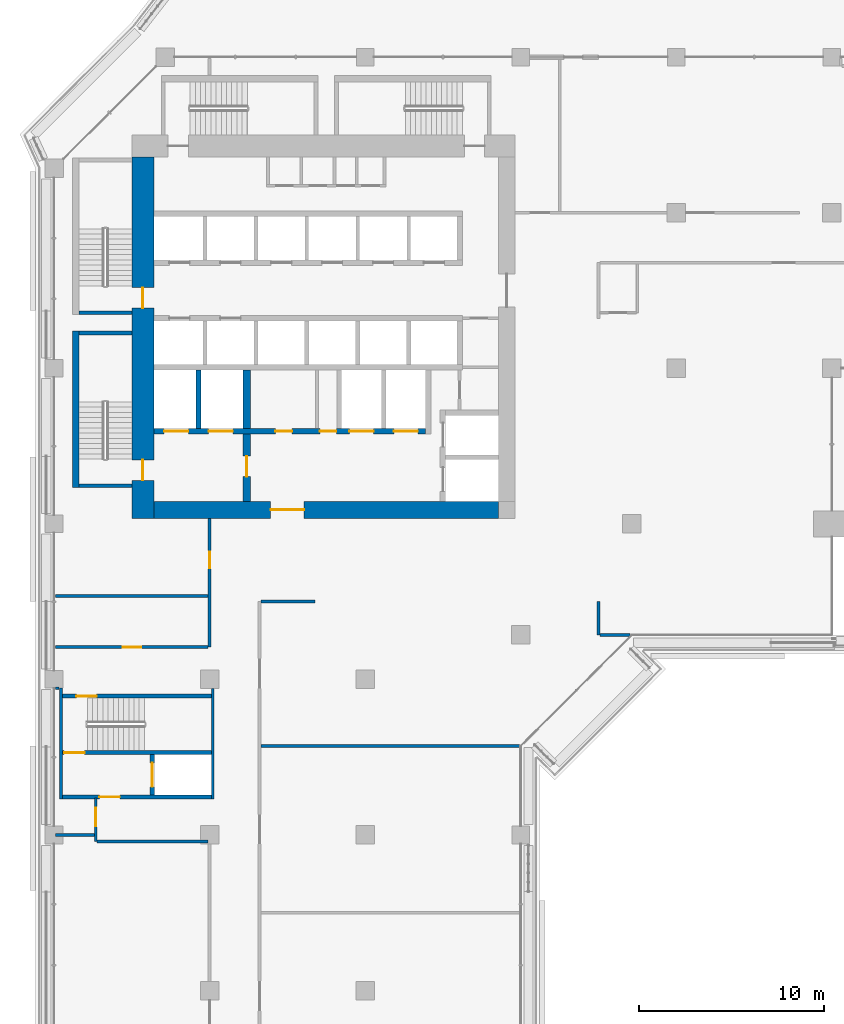
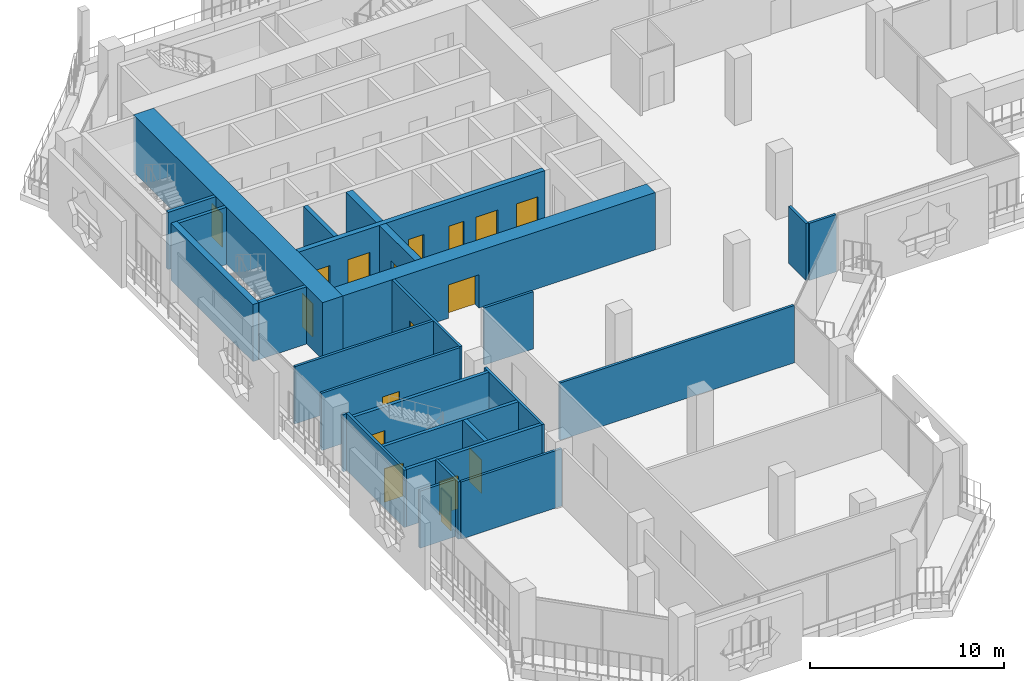
# One storey, part 11 of 23: 27 walls, 17 doors, 17 openings.
"""IFC4 building model written with IfcOpenShell, lengths in metres."""

from ifc_helpers import new_model, si_unit, direction, frame, frame_2d, origin, place, context, subcontext, project, spatial, rectangle, extrude, material, layer, layer_set, type_object, element, fill, save


model = new_model("IFC4")

# Units and contexts
model_context = context("Model", 3, precision=1e-05, world=origin(), true_north=direction((0.0, 1.0)))
body_context = subcontext(model_context, "Body", "Model", "MODEL_VIEW")
ifc_project = project(units=[si_unit("LENGTHUNIT", "METRE"), si_unit("AREAUNIT", "SQUARE_METRE"), si_unit("VOLUMEUNIT", "CUBIC_METRE"), si_unit("PLANEANGLEUNIT", "RADIAN"), si_unit("MASSUNIT", "GRAM", prefix="KILO")], contexts=[model_context])

# Site, building, storey
site_placement = place(None, origin())
site = spatial("IfcSite", under=ifc_project, at=site_placement, CompositionType="ELEMENT")
building_placement = place(site_placement, origin())
building = spatial("IfcBuilding", under=site, at=building_placement, Name="Kawkab Arch Medical Tower", CompositionType="ELEMENT")
storey_placement = place(building_placement, frame((0.0, 0.0, 158.39990234375)))
storey = spatial("IfcBuildingStorey", under=building, at=storey_placement, Name="L36", CompositionType="ELEMENT", Elevation=158.39990234375)

# Wall, openings, doors
ifc_material_1 = material(Name="Concrete C55/67", Category="concrete")
ifc_layer_1 = layer(ifc_material_1, 1.199951171875)
ifc_layer_set_1 = layer_set([ifc_layer_1], Name="Concrete C55/67")
wall_type_1 = type_object("IfcWallType", Name="Core ring wall 1200 C55/67", PredefinedType="SHEAR", material=ifc_layer_set_1)
wall_1_placement = place(storey_placement, frame((4.800048828125, -24.89990234375, 0.0), z_axis=(0.0, 0.0, 1.0), x_axis=(0.0, 1.0, 0.0)))
wall_1 = element("IfcWall", 1, at=wall_1_placement, inside=storey, type_object=wall_type_1, Name="L36 core wall", PredefinedType="SHEAR", context=body_context, shape_type="SweptSolid", body=[
    extrude(rectangle(XDim=19.5, YDim=1.199951171875, at=frame_2d((9.75, 0.0))), origin(), (0.0, 0.0, 1.0), 3.60009765625),
])
opening_1_placement = place(wall_1_placement, frame((11.35009765625, 0.0, 0.0)))
opening_1 = element("IfcOpeningElement", 2, at=opening_1_placement, cuts=wall_1, Name="Opening SD", PredefinedType="OPENING", context=body_context, shape_type="SweptSolid", body=[
    extrude(rectangle(XDim=1.10009765625, YDim=2.10009765625, at=frame_2d((0.550048828125, 1.050048828125))), frame((0.0, 0.60986328125, 0.0), z_axis=(0.0, -1.0, 0.0), x_axis=(1.0, 0.0, 0.0)), (0.0, 0.0, 1.0), 1.219970703125),
])
opening_2_placement = place(wall_1_placement, frame((2.050048828125, 0.0, 0.0)))
opening_2 = element("IfcOpeningElement", 3, at=opening_2_placement, cuts=wall_1, Name="Opening SD", PredefinedType="OPENING", context=body_context, shape_type="SweptSolid", body=[
    extrude(rectangle(XDim=1.10009765625, YDim=2.10009765625, at=frame_2d((0.550048828125, 1.050048828125))), frame((0.0, 0.60986328125, 0.0), z_axis=(0.0, -1.0, 0.0), x_axis=(1.0, 0.0, 0.0)), (0.0, 0.0, 1.0), 1.219970703125),
])
ifc_material_2 = material(Name="Hollow metal fire door leaf")
door_type_1 = type_object("IfcDoorType", Name="Exit stair door 1100", OperationType="SINGLE_SWING_LEFT", PredefinedType="DOOR", material=ifc_material_2)
door_1_placement = place(opening_1_placement, origin())
door_1 = element("IfcDoor", 4, at=door_1_placement, inside=storey, type_object=door_type_1, Name="L36 Exit stair ST1 door", OperationType="SINGLE_SWING_LEFT", OverallHeight=2.10009765625, OverallWidth=1.10009765625, PredefinedType="DOOR", context=body_context, shape_type="SweptSolid", body=[
    extrude(rectangle(XDim=1.10009765625, YDim=2.10009765625, at=frame_2d((0.550048828125, 1.050048828125))), frame((0.0, 0.02490234375, 0.0), z_axis=(0.0, -1.0, 0.0), x_axis=(1.0, 0.0, 0.0)), (0.0, 0.0, 1.0), 0.050048828125),
])
fill(opening_1, door_1)
door_2_placement = place(opening_2_placement, origin())
door_2 = element("IfcDoor", 5, at=door_2_placement, inside=storey, type_object=door_type_1, Name="L36 Exit stair ST2 door", OperationType="SINGLE_SWING_LEFT", OverallHeight=2.10009765625, OverallWidth=1.10009765625, PredefinedType="DOOR", context=body_context, shape_type="SweptSolid", body=[
    extrude(rectangle(XDim=1.10009765625, YDim=2.10009765625, at=frame_2d((0.550048828125, 1.050048828125))), frame((0.0, 0.02490234375, 0.0), z_axis=(0.0, -1.0, 0.0), x_axis=(1.0, 0.0, 0.0)), (0.0, 0.0, 1.0), 0.050048828125),
])
fill(opening_2, door_2)

# Wall, opening, door
ifc_material_3 = material(Name="Concrete C55/67", Category="concrete")
ifc_layer_2 = layer(ifc_material_3, 0.89990234375)
ifc_layer_set_2 = layer_set([ifc_layer_2], Name="Concrete C55/67")
wall_type_2 = type_object("IfcWallType", Name="Core ring wall 900 C55/67", PredefinedType="SHEAR", material=ifc_layer_set_2)
wall_2_placement = place(storey_placement, frame((5.39990234375, -24.449951171875, 0.0), z_axis=(0.0, 0.0, 1.0), x_axis=(1.0, 0.0, 0.0)))
wall_2 = element("IfcWall", 6, at=wall_2_placement, inside=storey, type_object=wall_type_2, Name="L36 core wall", PredefinedType="SHEAR", context=body_context, shape_type="SweptSolid", body=[
    extrude(rectangle(XDim=18.60009765625, YDim=0.89990234375, at=frame_2d((9.300048828125, 0.0))), origin(), (0.0, 0.0, 1.0), 3.60009765625),
])
opening_3_placement = place(wall_2_placement, frame((6.300048828125, 0.0, 0.0)))
opening_3 = element("IfcOpeningElement", 7, at=opening_3_placement, cuts=wall_2, Name="Opening PD", PredefinedType="OPENING", context=body_context, shape_type="SweptSolid", body=[
    extrude(rectangle(XDim=1.800048828125, YDim=2.10009765625, at=frame_2d((0.89990234375, 1.050048828125))), frame((0.0, 0.4599609375, 0.0), z_axis=(0.0, -1.0, 0.0), x_axis=(1.0, 0.0, 0.0)), (0.0, 0.0, 1.0), 0.919921875),
])
ifc_material_4 = material(Name="Hollow metal fire door leaf")
door_type_2 = type_object("IfcDoorType", Name="Core entrance doors 1800", OperationType="DOUBLE_DOOR_SINGLE_SWING", PredefinedType="DOOR", material=ifc_material_4)
door_3_placement = place(opening_3_placement, origin())
door_3 = element("IfcDoor", 8, at=door_3_placement, inside=storey, type_object=door_type_2, Name="L36 South entrance doors", OperationType="DOUBLE_DOOR_SINGLE_SWING", OverallHeight=2.10009765625, OverallWidth=1.800048828125, PredefinedType="DOOR", context=body_context, shape_type="SweptSolid", body=[
    extrude(rectangle(XDim=1.800048828125, YDim=2.10009765625, at=frame_2d((0.89990234375, 1.050048828125))), frame((0.0, 0.02490234375, 0.0), z_axis=(0.0, -1.0, 0.0), x_axis=(1.0, 0.0, 0.0)), (0.0, 0.0, 1.0), 0.050048828125),
])
fill(opening_3, door_3)

# Wall
ifc_material_5 = material(Name="Concrete C60/75", Category="concrete")
ifc_layer_3 = layer(ifc_material_5, 0.25)
ifc_layer_set_3 = layer_set([ifc_layer_3], Name="Concrete C60/75")
wall_type_3 = type_object("IfcWallType", Name="Core shear wall 250 C60/75", PredefinedType="SHEAR", material=ifc_layer_set_3)
wall_3_placement = place(storey_placement, frame((7.800048828125, -20.050048828125, 0.0), z_axis=(0.0, 0.0, 1.0), x_axis=(0.0, 1.0, 0.0)))
element("IfcWall", 9, at=wall_3_placement, inside=storey, type_object=wall_type_3, Name="L36 core shear wall", PredefinedType="SHEAR", context=body_context, shape_type="SweptSolid", body=[
    extrude(rectangle(XDim=3.150146484375, YDim=0.25, at=frame_2d((1.5751953125, 0.0))), origin(), (0.0, 0.0, 1.0), 3.60009765625),
])

# Wall, opening, door
wall_4_placement = place(storey_placement, frame((5.300048828125, -39.85009765625, 0.0), z_axis=(0.0, 0.0, 1.0), x_axis=(0.0, 1.0, 0.0)))
wall_4 = element("IfcWall", 10, at=wall_4_placement, inside=storey, type_object=wall_type_3, Name="L36 core shear wall", PredefinedType="SHEAR", context=body_context, shape_type="SweptSolid", body=[
    extrude(rectangle(XDim=2.2001953125, YDim=0.25, at=frame_2d((1.10009765625, 0.0))), origin(), (0.0, 0.0, 1.0), 3.60009765625),
])
opening_4_placement = place(wall_4_placement, frame((0.449951171875, 0.0, 0.0)))
opening_4 = element("IfcOpeningElement", 11, at=opening_4_placement, cuts=wall_4, Name="Opening LD2", PredefinedType="OPENING", context=body_context, shape_type="SweptSolid", body=[
    extrude(rectangle(XDim=1.300048828125, YDim=2.10009765625, at=frame_2d((0.64990234375, 1.050048828125))), frame((0.0, 0.135009765625, 0.0), z_axis=(0.0, -1.0, 0.0), x_axis=(1.0, 0.0, 0.0)), (0.0, 0.0, 1.0), 0.27001953125),
])
ifc_material_6 = material(Name="Stainless steel lift door leaf", Category="steel")
door_type_3 = type_object("IfcDoorType", Name="Lift landing door 1300", OperationType="DOUBLE_DOOR_SLIDING", PredefinedType="DOOR", material=ifc_material_6)
door_4_placement = place(opening_4_placement, origin())
door_4 = element("IfcDoor", 12, at=door_4_placement, inside=storey, type_object=door_type_3, Name="L36 Lift landing door SV2", OperationType="DOUBLE_DOOR_SLIDING", OverallHeight=2.10009765625, OverallWidth=1.300048828125, PredefinedType="DOOR", context=body_context, shape_type="SweptSolid", body=[
    extrude(rectangle(XDim=1.300048828125, YDim=2.10009765625, at=frame_2d((0.64990234375, 1.050048828125))), frame((0.0, 0.02490234375, 0.0), z_axis=(0.0, -1.0, 0.0), x_axis=(1.0, 0.0, 0.0)), (0.0, 0.0, 1.0), 0.050048828125),
])
fill(opening_4, door_4)

# Wall, openings, doors
ifc_material_7 = material(Name="Concrete C60/75", Category="concrete")
ifc_layer_4 = layer(ifc_material_7, 0.300048828125)
ifc_layer_set_4 = layer_set([ifc_layer_4], Name="Concrete C60/75")
wall_type_4 = type_object("IfcWallType", Name="Core shear wall 300 C60/75", PredefinedType="SHEAR", material=ifc_layer_set_4)
wall_5_placement = place(storey_placement, frame((5.39990234375, -20.199951171875, 0.0), z_axis=(0.0, 0.0, 1.0), x_axis=(1.0, 0.0, 0.0)))
wall_5 = element("IfcWall", 13, at=wall_5_placement, inside=storey, type_object=wall_type_4, Name="L36 core shear wall", PredefinedType="SHEAR", context=body_context, shape_type="SweptSolid", body=[
    extrude(rectangle(XDim=14.650146484375, YDim=0.300048828125, at=frame_2d((7.3251953125, 0.0))), origin(), (0.0, 0.0, 1.0), 3.60009765625),
])
opening_5_placement = place(wall_5_placement, frame((10.550048828125, 0.0, 0.0)))
opening_5 = element("IfcOpeningElement", 14, at=opening_5_placement, cuts=wall_5, Name="Opening LD2", PredefinedType="OPENING", context=body_context, shape_type="SweptSolid", body=[
    extrude(rectangle(XDim=1.300048828125, YDim=2.10009765625, at=frame_2d((0.64990234375, 1.050048828125))), frame((0.0, 0.159912109375, 0.0), z_axis=(0.0, -1.0, 0.0), x_axis=(1.0, 0.0, 0.0)), (0.0, 0.0, 1.0), 0.320068359375),
])
opening_6_placement = place(wall_5_placement, frame((12.949951171875, 0.0, 0.0)))
opening_6 = element("IfcOpeningElement", 15, at=opening_6_placement, cuts=wall_5, Name="Opening LD2", PredefinedType="OPENING", context=body_context, shape_type="SweptSolid", body=[
    extrude(rectangle(XDim=1.300048828125, YDim=2.10009765625, at=frame_2d((0.64990234375, 1.050048828125))), frame((0.0, 0.159912109375, 0.0), z_axis=(0.0, -1.0, 0.0), x_axis=(1.0, 0.0, 0.0)), (0.0, 0.0, 1.0), 0.320068359375),
])
opening_7_placement = place(wall_5_placement, frame((0.550048828125, 0.0, 0.0)))
opening_7 = element("IfcOpeningElement", 16, at=opening_7_placement, cuts=wall_5, Name="Opening LD2", PredefinedType="OPENING", context=body_context, shape_type="SweptSolid", body=[
    extrude(rectangle(XDim=1.300048828125, YDim=2.10009765625, at=frame_2d((0.64990234375, 1.050048828125))), frame((0.0, 0.159912109375, 0.0), z_axis=(0.0, -1.0, 0.0), x_axis=(1.0, 0.0, 0.0)), (0.0, 0.0, 1.0), 0.320068359375),
])
opening_8_placement = place(wall_5_placement, frame((2.949951171875, 0.0, 0.0)))
opening_8 = element("IfcOpeningElement", 17, at=opening_8_placement, cuts=wall_5, Name="Opening LD2", PredefinedType="OPENING", context=body_context, shape_type="SweptSolid", body=[
    extrude(rectangle(XDim=1.300048828125, YDim=2.10009765625, at=frame_2d((0.64990234375, 1.050048828125))), frame((0.0, 0.159912109375, 0.0), z_axis=(0.0, -1.0, 0.0), x_axis=(1.0, 0.0, 0.0)), (0.0, 0.0, 1.0), 0.320068359375),
])
opening_9_placement = place(wall_5_placement, frame((6.550048828125, 0.0, 0.0)))
opening_9 = element("IfcOpeningElement", 18, at=opening_9_placement, cuts=wall_5, Name="Opening RD", PredefinedType="OPENING", context=body_context, shape_type="SweptSolid", body=[
    extrude(rectangle(XDim=0.89990234375, YDim=2.10009765625, at=frame_2d((0.449951171875, 1.050048828125))), frame((0.0, 0.159912109375, 0.0), z_axis=(0.0, -1.0, 0.0), x_axis=(1.0, 0.0, 0.0)), (0.0, 0.0, 1.0), 0.320068359375),
])
opening_10_placement = place(wall_5_placement, frame((8.949951171875, 0.0, 0.0)))
opening_10 = element("IfcOpeningElement", 19, at=opening_10_placement, cuts=wall_5, Name="Opening RD", PredefinedType="OPENING", context=body_context, shape_type="SweptSolid", body=[
    extrude(rectangle(XDim=0.89990234375, YDim=2.10009765625, at=frame_2d((0.449951171875, 1.050048828125))), frame((0.0, 0.159912109375, 0.0), z_axis=(0.0, -1.0, 0.0), x_axis=(1.0, 0.0, 0.0)), (0.0, 0.0, 1.0), 0.320068359375),
])
ifc_material_8 = material(Name="Hollow metal fire door leaf")
door_type_4 = type_object("IfcDoorType", Name="Core room door 900", OperationType="SINGLE_SWING_LEFT", PredefinedType="DOOR", material=ifc_material_8)
door_5_placement = place(opening_9_placement, origin())
door_5 = element("IfcDoor", 20, at=door_5_placement, inside=storey, type_object=door_type_4, Name="L36 Medication store door", OperationType="SINGLE_SWING_LEFT", OverallHeight=2.10009765625, OverallWidth=0.89990234375, PredefinedType="DOOR", context=body_context, shape_type="SweptSolid", body=[
    extrude(rectangle(XDim=0.89990234375, YDim=2.10009765625, at=frame_2d((0.449951171875, 1.050048828125))), frame((0.0, 0.02490234375, 0.0), z_axis=(0.0, -1.0, 0.0), x_axis=(1.0, 0.0, 0.0)), (0.0, 0.0, 1.0), 0.050048828125),
])
fill(opening_9, door_5)
door_6_placement = place(opening_10_placement, origin())
door_6 = element("IfcDoor", 21, at=door_6_placement, inside=storey, type_object=door_type_4, Name="L36 Clean utility room door", OperationType="SINGLE_SWING_LEFT", OverallHeight=2.10009765625, OverallWidth=0.89990234375, PredefinedType="DOOR", context=body_context, shape_type="SweptSolid", body=[
    extrude(rectangle(XDim=0.89990234375, YDim=2.10009765625, at=frame_2d((0.449951171875, 1.050048828125))), frame((0.0, 0.02490234375, 0.0), z_axis=(0.0, -1.0, 0.0), x_axis=(1.0, 0.0, 0.0)), (0.0, 0.0, 1.0), 0.050048828125),
])
fill(opening_10, door_6)
door_7_placement = place(opening_5_placement, origin())
door_7 = element("IfcDoor", 22, at=door_7_placement, inside=storey, type_object=door_type_3, Name="L36 Lift landing door BD3", OperationType="DOUBLE_DOOR_SLIDING", OverallHeight=2.10009765625, OverallWidth=1.300048828125, PredefinedType="DOOR", context=body_context, shape_type="SweptSolid", body=[
    extrude(rectangle(XDim=1.300048828125, YDim=2.10009765625, at=frame_2d((0.64990234375, 1.050048828125))), frame((0.0, 0.02490234375, 0.0), z_axis=(0.0, -1.0, 0.0), x_axis=(1.0, 0.0, 0.0)), (0.0, 0.0, 1.0), 0.050048828125),
])
fill(opening_5, door_7)
door_8_placement = place(opening_6_placement, origin())
door_8 = element("IfcDoor", 23, at=door_8_placement, inside=storey, type_object=door_type_3, Name="L36 Lift landing door BD4", OperationType="DOUBLE_DOOR_SLIDING", OverallHeight=2.10009765625, OverallWidth=1.300048828125, PredefinedType="DOOR", context=body_context, shape_type="SweptSolid", body=[
    extrude(rectangle(XDim=1.300048828125, YDim=2.10009765625, at=frame_2d((0.64990234375, 1.050048828125))), frame((0.0, 0.02490234375, 0.0), z_axis=(0.0, -1.0, 0.0), x_axis=(1.0, 0.0, 0.0)), (0.0, 0.0, 1.0), 0.050048828125),
])
fill(opening_6, door_8)
door_9_placement = place(opening_7_placement, origin())
door_9 = element("IfcDoor", 24, at=door_9_placement, inside=storey, type_object=door_type_3, Name="L36 Lift landing door FL1", OperationType="DOUBLE_DOOR_SLIDING", OverallHeight=2.10009765625, OverallWidth=1.300048828125, PredefinedType="DOOR", context=body_context, shape_type="SweptSolid", body=[
    extrude(rectangle(XDim=1.300048828125, YDim=2.10009765625, at=frame_2d((0.64990234375, 1.050048828125))), frame((0.0, 0.02490234375, 0.0), z_axis=(0.0, -1.0, 0.0), x_axis=(1.0, 0.0, 0.0)), (0.0, 0.0, 1.0), 0.050048828125),
])
fill(opening_7, door_9)
door_10_placement = place(opening_8_placement, origin())
door_10 = element("IfcDoor", 25, at=door_10_placement, inside=storey, type_object=door_type_3, Name="L36 Lift landing door FL2", OperationType="DOUBLE_DOOR_SLIDING", OverallHeight=2.10009765625, OverallWidth=1.300048828125, PredefinedType="DOOR", context=body_context, shape_type="SweptSolid", body=[
    extrude(rectangle(XDim=1.300048828125, YDim=2.10009765625, at=frame_2d((0.64990234375, 1.050048828125))), frame((0.0, 0.02490234375, 0.0), z_axis=(0.0, -1.0, 0.0), x_axis=(1.0, 0.0, 0.0)), (0.0, 0.0, 1.0), 0.050048828125),
])
fill(opening_8, door_10)

# Wall, opening, door
ifc_material_9 = material(Name="Concrete C60/75", Category="concrete")
ifc_layer_5 = layer(ifc_material_9, 0.39990234375)
ifc_layer_set_5 = layer_set([ifc_layer_5], Name="Concrete C60/75")
wall_type_5 = type_object("IfcWallType", Name="Core shear wall 400 C60/75", PredefinedType="SHEAR", material=ifc_layer_set_5)
wall_6_placement = place(storey_placement, frame((10.39990234375, -24.0, 0.0), z_axis=(0.0, 0.0, 1.0), x_axis=(0.0, 1.0, 0.0)))
wall_6 = element("IfcWall", 26, at=wall_6_placement, inside=storey, type_object=wall_type_5, Name="L36 core shear wall", PredefinedType="SHEAR", context=body_context, shape_type="SweptSolid", body=[
    extrude(rectangle(XDim=3.64990234375, YDim=0.39990234375, at=frame_2d((1.824951171875, 0.0))), origin(), (0.0, 0.0, 1.0), 3.60009765625),
])
opening_11_placement = place(wall_6_placement, frame((1.35009765625, 0.0, 0.0)))
opening_11 = element("IfcOpeningElement", 27, at=opening_11_placement, cuts=wall_6, Name="Opening FD", PredefinedType="OPENING", context=body_context, shape_type="SweptSolid", body=[
    extrude(rectangle(XDim=1.10009765625, YDim=2.10009765625, at=frame_2d((0.550048828125, 1.050048828125))), frame((0.0, 0.2099609375, 0.0), z_axis=(0.0, -1.0, 0.0), x_axis=(1.0, 0.0, 0.0)), (0.0, 0.0, 1.0), 0.419921875),
])
ifc_material_10 = material(Name="Hollow metal fire door leaf")
door_type_5 = type_object("IfcDoorType", Name="Firefighting lobby door 1100", OperationType="SINGLE_SWING_LEFT", PredefinedType="DOOR", material=ifc_material_10)
door_11_placement = place(opening_11_placement, origin())
door_11 = element("IfcDoor", 28, at=door_11_placement, inside=storey, type_object=door_type_5, Name="L36 Firefighting lobby door", OperationType="SINGLE_SWING_LEFT", OverallHeight=2.10009765625, OverallWidth=1.10009765625, PredefinedType="DOOR", context=body_context, shape_type="SweptSolid", body=[
    extrude(rectangle(XDim=1.10009765625, YDim=2.10009765625, at=frame_2d((0.550048828125, 1.050048828125))), frame((0.0, 0.02490234375, 0.0), z_axis=(0.0, -1.0, 0.0), x_axis=(1.0, 0.0, 0.0)), (0.0, 0.0, 1.0), 0.050048828125),
])
fill(opening_11, door_11)

# Walls
wall_7_placement = place(storey_placement, frame((10.39990234375, -20.050048828125, 0.0), z_axis=(0.0, 0.0, 1.0), x_axis=(0.0, 1.0, 0.0)))
element("IfcWall", 29, at=wall_7_placement, inside=storey, type_object=wall_type_5, Name="L36 core shear wall", PredefinedType="SHEAR", context=body_context, shape_type="SweptSolid", body=[
    extrude(rectangle(XDim=3.150146484375, YDim=0.39990234375, at=frame_2d((1.5751953125, 0.0))), origin(), (0.0, 0.0, 1.0), 3.60009765625),
])
ifc_material_11 = material(Name="Gypsum board partition on steel studs, mineral wool", Category="steel")
ifc_layer_6 = layer(ifc_material_11, 0.14990234375)
ifc_layer_set_6 = layer_set([ifc_layer_6], Name="Gypsum board partition on steel studs, mineral wool")
wall_type_6 = type_object("IfcWallType", Name="Partition 150", PredefinedType="PARTITIONING", material=ifc_layer_set_6)
wall_8_placement = place(storey_placement, frame((2.324951171875, -42.35009765625, 0.0), z_axis=(0.0, 0.0, 1.0), x_axis=(1.0, 0.0, 0.0)))
element("IfcWall", 30, at=wall_8_placement, inside=storey, type_object=wall_type_6, Name="Partition 150 w005", PredefinedType="PARTITIONING", context=body_context, shape_type="SweptSolid", body=[
    extrude(rectangle(XDim=6.0, YDim=0.14990234375, at=frame_2d((3.0, 0.0))), origin(), (0.0, 0.0, 1.0), 3.60009765625),
])
wall_9_placement = place(storey_placement, frame((0.080078125, -42.0, 0.0), z_axis=(0.0, 0.0, 1.0), x_axis=(1.0, 0.0, 0.0)))
element("IfcWall", 31, at=wall_9_placement, inside=storey, type_object=wall_type_6, Name="Partition 150 w006", PredefinedType="PARTITIONING", context=body_context, shape_type="SweptSolid", body=[
    extrude(rectangle(XDim=2.094970703125, YDim=0.14990234375, at=frame_2d((1.04736328125, 0.0))), origin(), (0.0, 0.0, 1.0), 3.60009765625),
])
wall_10_placement = place(storey_placement, frame((11.175048828125, -37.199951171875, 0.0), z_axis=(0.0, 0.0, 1.0), x_axis=(1.0, 0.0, 0.0)))
element("IfcWall", 32, at=wall_10_placement, inside=storey, type_object=wall_type_6, Name="Partition 150 w007", PredefinedType="PARTITIONING", context=body_context, shape_type="SweptSolid", body=[
    extrude(rectangle(XDim=13.945068359375, YDim=0.14990234375, at=frame_2d((6.97265625, 0.0))), origin(), (0.0, 0.0, 1.0), 3.60009765625),
])
wall_11_placement = place(storey_placement, frame((0.080078125, -34.074951171875, 0.0), z_axis=(0.0, 0.0, 1.0), x_axis=(1.0, 0.0, 0.0)))
element("IfcWall", 33, at=wall_11_placement, inside=storey, type_object=wall_type_6, Name="Partition 150 w008", PredefinedType="PARTITIONING", context=body_context, shape_type="SweptSolid", body=[
    extrude(rectangle(XDim=0.18994140625, YDim=0.14990234375, at=frame_2d((0.094970703125, 0.0))), origin(), (0.0, 0.0, 1.0), 3.60009765625),
])

# Wall, opening, door
wall_12_placement = place(storey_placement, frame((0.080078125, -31.85693359375, 0.0), z_axis=(0.0, 0.0, 1.0), x_axis=(1.0, 0.0, 0.0)))
wall_12 = element("IfcWall", 34, at=wall_12_placement, inside=storey, type_object=wall_type_6, Name="Partition 150 w009", PredefinedType="PARTITIONING", context=body_context, shape_type="SweptSolid", body=[
    extrude(rectangle(XDim=8.244873046875, YDim=0.14990234375, at=frame_2d((4.12255859375, 0.0))), origin(), (0.0, 0.0, 1.0), 3.60009765625),
])
opening_12_placement = place(wall_12_placement, frame((3.6201171875, 0.0, 0.0)))
opening_12 = element("IfcOpeningElement", 35, at=opening_12_placement, cuts=wall_12, Name="Opening B36-013", PredefinedType="OPENING", context=body_context, shape_type="SweptSolid", body=[
    extrude(rectangle(XDim=1.0, YDim=2.10009765625, at=frame_2d((0.5, 1.050048828125))), frame((0.0, 0.0849609375, 0.0), z_axis=(0.0, -1.0, 0.0), x_axis=(1.0, 0.0, 0.0)), (0.0, 0.0, 1.0), 0.169921875),
])
ifc_material_12 = material(Name="Hollow metal door leaf")
door_type_6 = type_object("IfcDoorType", Name="Single door 1000x2100 FD30S", OperationType="NOTDEFINED", PredefinedType="DOOR", material=ifc_material_12)
door_12_placement = place(opening_12_placement, origin())
door_12 = element("IfcDoor", 36, at=door_12_placement, inside=storey, type_object=door_type_6, Name="Door B36-013", OperationType="SINGLE_SWING_RIGHT", OverallHeight=2.10009765625, OverallWidth=1.0, PredefinedType="DOOR", context=body_context, shape_type="SweptSolid", body=[
    extrude(rectangle(XDim=1.0, YDim=2.10009765625, at=frame_2d((0.5, 1.050048828125))), frame((0.0, 0.02490234375, 0.0), z_axis=(0.0, -1.0, 0.0), x_axis=(1.0, 0.0, 0.0)), (0.0, 0.0, 1.0), 0.050048828125),
])
fill(opening_12, door_12)

# Walls
wall_13_placement = place(storey_placement, frame((29.47705078125, -31.199951171875, 0.0), z_axis=(0.0, 0.0, 1.0), x_axis=(1.0, 0.0, 0.0)))
element("IfcWall", 37, at=wall_13_placement, inside=storey, type_object=wall_type_6, Name="Partition 150 w010", PredefinedType="PARTITIONING", context=body_context, shape_type="SweptSolid", body=[
    extrude(rectangle(XDim=1.60986328125, YDim=0.14990234375, at=frame_2d((0.804931640625, 0.0))), origin(), (0.0, 0.0, 1.0), 3.60009765625),
])
wall_14_placement = place(storey_placement, frame((11.175048828125, -29.39990234375, 0.0), z_axis=(0.0, 0.0, 1.0), x_axis=(1.0, 0.0, 0.0)))
element("IfcWall", 38, at=wall_14_placement, inside=storey, type_object=wall_type_6, Name="Partition 150 w011", PredefinedType="PARTITIONING", context=body_context, shape_type="SweptSolid", body=[
    extrude(rectangle(XDim=2.925048828125, YDim=0.14990234375, at=frame_2d((1.46240234375, 0.0))), origin(), (0.0, 0.0, 1.0), 3.60009765625),
])
wall_15_placement = place(storey_placement, frame((0.080078125, -29.10009765625, 0.0), z_axis=(0.0, 0.0, 1.0), x_axis=(1.0, 0.0, 0.0)))
element("IfcWall", 39, at=wall_15_placement, inside=storey, type_object=wall_type_6, Name="Partition 150 w012", PredefinedType="PARTITIONING", context=body_context, shape_type="SweptSolid", body=[
    extrude(rectangle(XDim=8.244873046875, YDim=0.14990234375, at=frame_2d((4.12255859375, 0.0))), origin(), (0.0, 0.0, 1.0), 3.60009765625),
])

# Wall, opening, door
wall_16_placement = place(storey_placement, frame((2.25, -42.35009765625, 0.0), z_axis=(0.0, 0.0, 1.0), x_axis=(0.0, 1.0, 0.0)))
wall_16 = element("IfcWall", 40, at=wall_16_placement, inside=storey, type_object=wall_type_6, Name="Partition 150 w018", PredefinedType="PARTITIONING", context=body_context, shape_type="SweptSolid", body=[
    extrude(rectangle(XDim=2.35009765625, YDim=0.14990234375, at=frame_2d((1.175048828125, 0.0))), origin(), (0.0, 0.0, 1.0), 3.60009765625),
])
opening_13_placement = place(wall_16_placement, frame((0.824951171875, 0.0, 0.0)))
opening_13 = element("IfcOpeningElement", 41, at=opening_13_placement, cuts=wall_16, Name="Opening B36-014", PredefinedType="OPENING", context=body_context, shape_type="SweptSolid", body=[
    extrude(rectangle(XDim=1.0, YDim=2.10009765625, at=frame_2d((0.5, 1.050048828125))), frame((0.0, 0.0849609375, 0.0), z_axis=(0.0, -1.0, 0.0), x_axis=(1.0, 0.0, 0.0)), (0.0, 0.0, 1.0), 0.169921875),
])
door_13_placement = place(opening_13_placement, origin())
door_13 = element("IfcDoor", 42, at=door_13_placement, inside=storey, type_object=door_type_6, Name="Door B36-014", OperationType="SINGLE_SWING_LEFT", OverallHeight=2.10009765625, OverallWidth=1.0, PredefinedType="DOOR", context=body_context, shape_type="SweptSolid", body=[
    extrude(rectangle(XDim=1.0, YDim=2.10009765625, at=frame_2d((0.5, 1.050048828125))), frame((0.0, 0.02490234375, 0.0), z_axis=(0.0, -1.0, 0.0), x_axis=(1.0, 0.0, 0.0)), (0.0, 0.0, 1.0), 0.050048828125),
])
fill(opening_13, door_13)

wall_17_placement = place(storey_placement, frame((8.39990234375, -31.85693359375, 0.0), z_axis=(0.0, 0.0, 1.0), x_axis=(0.0, 1.0, 0.0)))
wall_17 = element("IfcWall", 43, at=wall_17_placement, inside=storey, type_object=wall_type_6, Name="Partition 150 w020", PredefinedType="PARTITIONING", context=body_context, shape_type="SweptSolid", body=[
    extrude(rectangle(XDim=6.95703125, YDim=0.14990234375, at=frame_2d((3.478515625, 0.0))), origin(), (0.0, 0.0, 1.0), 3.60009765625),
])
opening_14_placement = place(wall_17_placement, frame((4.257080078125, 0.0, 0.0)))
opening_14 = element("IfcOpeningElement", 44, at=opening_14_placement, cuts=wall_17, Name="Opening B36-009", PredefinedType="OPENING", context=body_context, shape_type="SweptSolid", body=[
    extrude(rectangle(XDim=0.89990234375, YDim=2.10009765625, at=frame_2d((0.449951171875, 1.050048828125))), frame((0.0, 0.0849609375, 0.0), z_axis=(0.0, -1.0, 0.0), x_axis=(1.0, 0.0, 0.0)), (0.0, 0.0, 1.0), 0.169921875),
])
ifc_material_13 = material(Name="Timber door leaf", Category="wood")
door_type_7 = type_object("IfcDoorType", Name="Single door 900x2100", OperationType="NOTDEFINED", PredefinedType="DOOR", material=ifc_material_13)
door_14_placement = place(opening_14_placement, origin())
door_14 = element("IfcDoor", 45, at=door_14_placement, inside=storey, type_object=door_type_7, Name="Door B36-009", OperationType="SINGLE_SWING_RIGHT", OverallHeight=2.10009765625, OverallWidth=0.89990234375, PredefinedType="DOOR", context=body_context, shape_type="SweptSolid", body=[
    extrude(rectangle(XDim=0.89990234375, YDim=2.10009765625, at=frame_2d((0.449951171875, 1.050048828125))), frame((0.0, 0.02490234375, 0.0), z_axis=(0.0, -1.0, 0.0), x_axis=(1.0, 0.0, 0.0)), (0.0, 0.0, 1.0), 0.050048828125),
])
fill(opening_14, door_14)

# Walls
wall_18_placement = place(storey_placement, frame((29.39990234375, -31.197998046875, 0.0), z_axis=(0.0, 0.0, 1.0), x_axis=(0.0, 1.0, 0.0)))
element("IfcWall", 46, at=wall_18_placement, inside=storey, type_object=wall_type_6, Name="Partition 150 w024", PredefinedType="PARTITIONING", context=body_context, shape_type="SweptSolid", body=[
    extrude(rectangle(XDim=1.798095703125, YDim=0.14990234375, at=frame_2d((0.89892578125, 0.0))), origin(), (0.0, 0.0, 1.0), 3.60009765625),
])
ifc_material_14 = material(Name="Concrete C50/60", Category="concrete")
ifc_layer_7 = layer(ifc_material_14, 0.14990234375)
ifc_layer_set_7 = layer_set([ifc_layer_7], Name="Concrete C50/60")
wall_type_7 = type_object("IfcWallType", Name="Stair enclosure wall 150 C50/60", PredefinedType="SHEAR", material=ifc_layer_set_7)
wall_19_placement = place(storey_placement, frame((0.375, -40.050048828125, 0.0), z_axis=(0.0, 0.0, 1.0), x_axis=(0.0, 1.0, 0.0)))
element("IfcWall", 47, at=wall_19_placement, inside=storey, type_object=wall_type_7, Name="L36 stair enclosure wall", PredefinedType="SHEAR", context=body_context, shape_type="SweptSolid", body=[
    extrude(rectangle(XDim=5.97509765625, YDim=0.14990234375, at=frame_2d((2.987548828125, 0.0))), origin(), (0.0, 0.0, 1.0), 3.60009765625),
])
wall_20_placement = place(storey_placement, frame((8.574951171875, -40.050048828125, 0.0), z_axis=(0.0, 0.0, 1.0), x_axis=(0.0, 1.0, 0.0)))
element("IfcWall", 48, at=wall_20_placement, inside=storey, type_object=wall_type_7, Name="L36 stair enclosure wall", PredefinedType="SHEAR", context=body_context, shape_type="SweptSolid", body=[
    extrude(rectangle(XDim=5.949951171875, YDim=0.14990234375, at=frame_2d((2.97509765625, 0.0))), origin(), (0.0, 0.0, 1.0), 3.60009765625),
])
ifc_material_15 = material(Name="Concrete C50/60", Category="concrete")
ifc_layer_8 = layer(ifc_material_15, 0.199951171875)
ifc_layer_set_8 = layer_set([ifc_layer_8], Name="Concrete C50/60")
wall_type_8 = type_object("IfcWallType", Name="Stair enclosure wall 200 C50/60", PredefinedType="SHEAR", material=ifc_layer_set_8)
for number, where, z_axis, x_axis, name in (
    (49, (1.35009765625, -13.800048828125, 0.0), (0.0, 0.0, 1.0), (1.0, 0.0, 0.0), "L36 stair enclosure wall"),
    (50, (1.35009765625, -14.89990234375, 0.0), (0.0, 0.0, 1.0), (1.0, 0.0, 0.0), "L36 stair enclosure wall"),
    (51, (1.35009765625, -23.14990234375, 0.0), (0.0, 0.0, 1.0), (1.0, 0.0, 0.0), "L36 stair enclosure wall"),
):
    element("IfcWall", number, at=place(storey_placement, frame(where, z_axis=z_axis, x_axis=x_axis)), inside=storey, type_object=wall_type_8, Name=name, PredefinedType="SHEAR", context=body_context, shape_type="SweptSolid", body=[
        extrude(rectangle(XDim=2.849853515625, YDim=0.199951171875, at=frame_2d((1.4248046875, 0.0))), origin(), (0.0, 0.0, 1.0), 3.60009765625),
    ])

# Wall, opening, door
wall_21_placement = place(storey_placement, frame((0.449951171875, -34.5, 0.0), z_axis=(0.0, 0.0, 1.0), x_axis=(1.0, 0.0, 0.0)))
wall_21 = element("IfcWall", 52, at=wall_21_placement, inside=storey, type_object=wall_type_8, Name="L36 stair enclosure wall", PredefinedType="SHEAR", context=body_context, shape_type="SweptSolid", body=[
    extrude(rectangle(XDim=8.050048828125, YDim=0.199951171875, at=frame_2d((4.02490234375, 0.0))), origin(), (0.0, 0.0, 1.0), 3.60009765625),
])
opening_15_placement = place(wall_21_placement, frame((0.75, 0.0, 0.0)))
opening_15 = element("IfcOpeningElement", 53, at=opening_15_placement, cuts=wall_21, Name="Opening SD", PredefinedType="OPENING", context=body_context, shape_type="SweptSolid", body=[
    extrude(rectangle(XDim=1.10009765625, YDim=2.10009765625, at=frame_2d((0.550048828125, 1.050048828125))), frame((0.0, 0.10986328125, 0.0), z_axis=(0.0, -1.0, 0.0), x_axis=(1.0, 0.0, 0.0)), (0.0, 0.0, 1.0), 0.219970703125),
])
door_15_placement = place(opening_15_placement, origin())
door_15 = element("IfcDoor", 54, at=door_15_placement, inside=storey, type_object=door_type_1, Name="L36 Exit stair ST6 door", OperationType="SINGLE_SWING_LEFT", OverallHeight=2.10009765625, OverallWidth=1.10009765625, PredefinedType="DOOR", context=body_context, shape_type="SweptSolid", body=[
    extrude(rectangle(XDim=1.10009765625, YDim=2.10009765625, at=frame_2d((0.550048828125, 1.050048828125))), frame((0.0, 0.02490234375, 0.0), z_axis=(0.0, -1.0, 0.0), x_axis=(1.0, 0.0, 0.0)), (0.0, 0.0, 1.0), 0.050048828125),
])
fill(opening_15, door_15)

wall_22_placement = place(storey_placement, frame((0.449951171875, -37.550048828125, 0.0), z_axis=(0.0, 0.0, 1.0), x_axis=(1.0, 0.0, 0.0)))
wall_22 = element("IfcWall", 55, at=wall_22_placement, inside=storey, type_object=wall_type_8, Name="L36 stair enclosure wall", PredefinedType="SHEAR", context=body_context, shape_type="SweptSolid", body=[
    extrude(rectangle(XDim=8.050048828125, YDim=0.199951171875, at=frame_2d((4.02490234375, 0.0))), origin(), (0.0, 0.0, 1.0), 3.60009765625),
])
opening_16_placement = place(wall_22_placement, frame((0.10009765625, 0.0, 0.0)))
opening_16 = element("IfcOpeningElement", 56, at=opening_16_placement, cuts=wall_22, Name="Opening SD", PredefinedType="OPENING", context=body_context, shape_type="SweptSolid", body=[
    extrude(rectangle(XDim=1.10009765625, YDim=2.10009765625, at=frame_2d((0.550048828125, 1.050048828125))), frame((0.0, 0.10986328125, 0.0), z_axis=(0.0, -1.0, 0.0), x_axis=(1.0, 0.0, 0.0)), (0.0, 0.0, 1.0), 0.219970703125),
])
door_16_placement = place(opening_16_placement, frame((1.10009765625, 0.0, 0.0), z_axis=(0.0, 0.0, 1.0), x_axis=(-1.0, 0.0, 0.0)))
door_16 = element("IfcDoor", 57, at=door_16_placement, inside=storey, type_object=door_type_1, Name="L36 Exit stair ST6 lobby door", OperationType="SINGLE_SWING_LEFT", OverallHeight=2.10009765625, OverallWidth=1.10009765625, PredefinedType="DOOR", context=body_context, shape_type="SweptSolid", body=[
    extrude(rectangle(XDim=1.10009765625, YDim=2.10009765625, at=frame_2d((0.550048828125, 1.050048828125))), frame((0.0, 0.02490234375, 0.0), z_axis=(0.0, -1.0, 0.0), x_axis=(1.0, 0.0, 0.0)), (0.0, 0.0, 1.0), 0.050048828125),
])
fill(opening_16, door_16)

wall_23_placement = place(storey_placement, frame((0.449951171875, -39.949951171875, 0.0), z_axis=(0.0, 0.0, 1.0), x_axis=(1.0, 0.0, 0.0)))
wall_23 = element("IfcWall", 58, at=wall_23_placement, inside=storey, type_object=wall_type_8, Name="L36 stair enclosure wall", PredefinedType="SHEAR", context=body_context, shape_type="SweptSolid", body=[
    extrude(rectangle(XDim=8.050048828125, YDim=0.199951171875, at=frame_2d((4.02490234375, 0.0))), origin(), (0.0, 0.0, 1.0), 3.60009765625),
])
opening_17_placement = place(wall_23_placement, frame((2.0, 0.0, 0.0)))
opening_17 = element("IfcOpeningElement", 59, at=opening_17_placement, cuts=wall_23, Name="Opening FD", PredefinedType="OPENING", context=body_context, shape_type="SweptSolid", body=[
    extrude(rectangle(XDim=1.10009765625, YDim=2.10009765625, at=frame_2d((0.550048828125, 1.050048828125))), frame((0.0, 0.10986328125, 0.0), z_axis=(0.0, -1.0, 0.0), x_axis=(1.0, 0.0, 0.0)), (0.0, 0.0, 1.0), 0.219970703125),
])
door_17_placement = place(opening_17_placement, origin())
door_17 = element("IfcDoor", 60, at=door_17_placement, inside=storey, type_object=door_type_5, Name="L36 Service lift lobby door SV2", OperationType="SINGLE_SWING_LEFT", OverallHeight=2.10009765625, OverallWidth=1.10009765625, PredefinedType="DOOR", context=body_context, shape_type="SweptSolid", body=[
    extrude(rectangle(XDim=1.10009765625, YDim=2.10009765625, at=frame_2d((0.550048828125, 1.050048828125))), frame((0.0, 0.02490234375, 0.0), z_axis=(0.0, -1.0, 0.0), x_axis=(1.0, 0.0, 0.0)), (0.0, 0.0, 1.0), 0.050048828125),
])
fill(opening_17, door_17)

# Wall
ifc_material_16 = material(Name="Concrete C50/60", Category="concrete")
ifc_layer_9 = layer(ifc_material_16, 0.35009765625)
ifc_layer_set_9 = layer_set([ifc_layer_9], Name="Concrete C50/60")
wall_type_9 = type_object("IfcWallType", Name="Stair enclosure wall 350 C50/60", PredefinedType="SHEAR", material=ifc_layer_set_9)
wall_24_placement = place(storey_placement, frame((1.175048828125, -23.25, 0.0), z_axis=(0.0, 0.0, 1.0), x_axis=(0.0, 1.0, 0.0)))
element("IfcWall", 61, at=wall_24_placement, inside=storey, type_object=wall_type_9, Name="L36 stair enclosure wall", PredefinedType="SHEAR", context=body_context, shape_type="SweptSolid", body=[
    extrude(rectangle(XDim=8.449951171875, YDim=0.35009765625, at=frame_2d((4.22509765625, 0.0))), origin(), (0.0, 0.0, 1.0), 3.60009765625),
])

save(model, "model.ifc")
